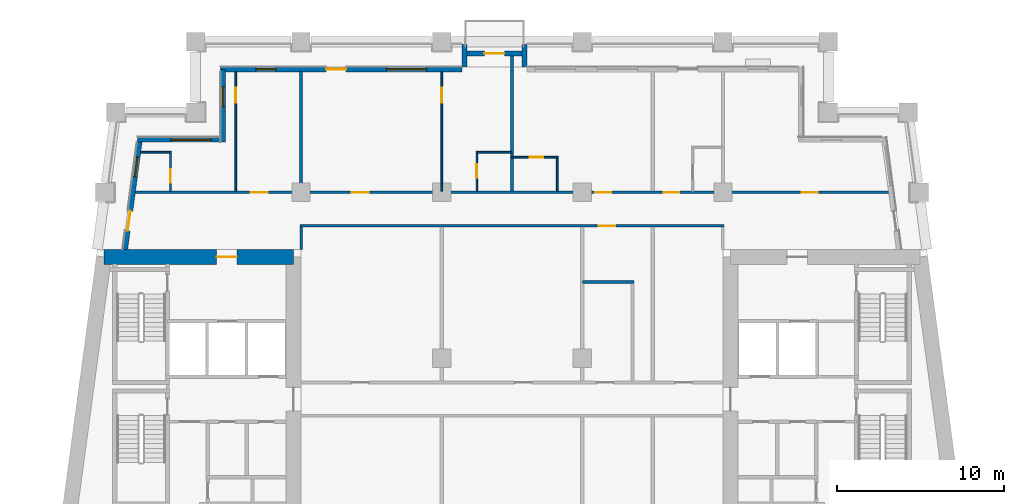
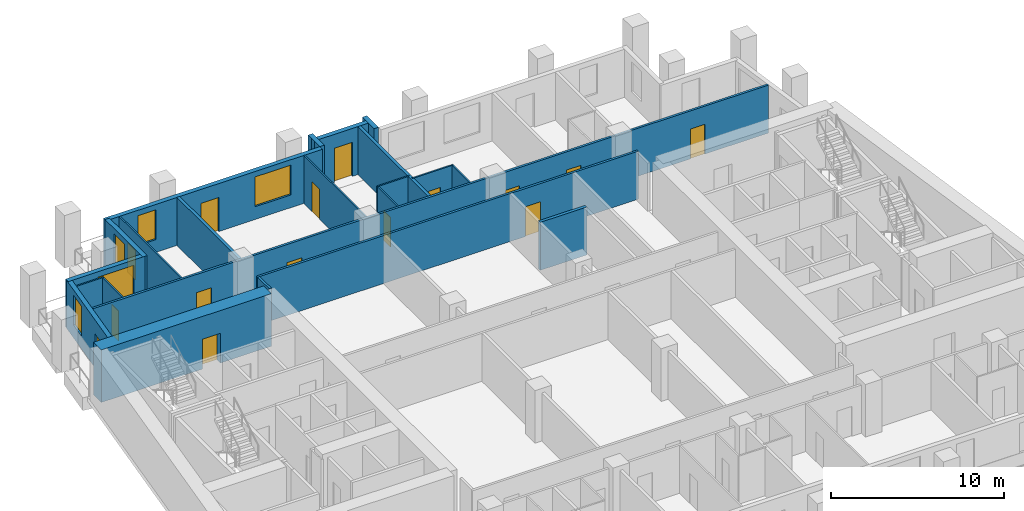
# One storey, part 6 of 12: 22 walls, 15 doors, 5 windows, 20 openings.
"""IFC4 building model written with IfcOpenShell, lengths in metres."""

from ifc_helpers import new_model, si_unit, direction, frame, frame_2d, origin, place, context, subcontext, project, spatial, rectangle, extrude, material, layer, layer_set, type_object, element, fill, save


model = new_model("IFC4")

# Units and contexts
model_context = context("Model", 3, precision=1e-05, world=origin(), true_north=direction((0.0, 1.0)))
body_context = subcontext(model_context, "Body", "Model", "MODEL_VIEW")
ifc_project = project(units=[si_unit("LENGTHUNIT", "METRE"), si_unit("AREAUNIT", "SQUARE_METRE"), si_unit("VOLUMEUNIT", "CUBIC_METRE"), si_unit("PLANEANGLEUNIT", "RADIAN"), si_unit("MASSUNIT", "GRAM", prefix="KILO")], contexts=[model_context])

# Site, building, storey
site_placement = place(None, origin())
site = spatial("IfcSite", under=ifc_project, at=site_placement, CompositionType="ELEMENT")
building_placement = place(site_placement, origin())
building = spatial("IfcBuilding", under=site, at=building_placement, Name="Candeia Pilgrim Tower and Theatre", CompositionType="ELEMENT")
storey_placement = place(building_placement, frame((0.0, 0.0, 147.800048828125)))
storey = spatial("IfcBuildingStorey", under=building, at=storey_placement, Name="L34", CompositionType="ELEMENT", Elevation=147.800048828125)

# Wall, opening, door
ifc_material_1 = material(Name="Concrete C60/75", Category="concrete")
ifc_layer_1 = layer(ifc_material_1, 0.89990234375)
ifc_layer_set_1 = layer_set([ifc_layer_1], Name="Core wall 900 C60/75")
wall_type_1 = type_object("IfcWallType", Name="Core wall 900 C60/75", PredefinedType="SHEAR", material=ifc_layer_set_1)
wall_1_placement = place(storey_placement, frame((89.024169921875, 131.949951171875, 0.0), z_axis=(0.0, 0.0, 1.0), x_axis=(1.0, 0.0, 0.0)))
wall_1 = element("IfcWall", 1, at=wall_1_placement, inside=storey, type_object=wall_type_1, Name="Core wall W1", PredefinedType="SHEAR", context=body_context, shape_type="SweptSolid", body=[
    extrude(rectangle(XDim=11.325927734375, YDim=0.89990234375, at=frame_2d((5.6630859375, 0.0))), origin(), (0.0, 0.0, 1.0), 3.699951171875),
])
opening_1_placement = place(wall_1_placement, frame((6.7392578125, 0.0, 0.0)))
opening_1 = element("IfcOpeningElement", 2, at=opening_1_placement, cuts=wall_1, Name="Opening L34-D056", PredefinedType="OPENING", context=body_context, shape_type="SweptSolid", body=[
    extrude(rectangle(XDim=1.199951171875, YDim=2.10009765625, at=frame_2d((0.60009765625, 1.050048828125))), frame((0.0, 0.4599609375, 0.0), z_axis=(0.0, -1.0, 0.0), x_axis=(1.0, 0.0, 0.0)), (0.0, 0.0, 1.0), 0.919921875),
])
ifc_material_2 = material(Name="Steel fire door set", Category="steel")
door_type_1 = type_object("IfcDoorType", Name="D-1200-FD60", OperationType="NOTDEFINED", PredefinedType="DOOR", material=ifc_material_2)
door_1_placement = place(opening_1_placement, origin())
door_1 = element("IfcDoor", 3, at=door_1_placement, inside=storey, type_object=door_type_1, Name="Door L34-D056", OperationType="SINGLE_SWING_RIGHT", OverallHeight=2.10009765625, OverallWidth=1.199951171875, PredefinedType="DOOR", context=body_context, shape_type="SweptSolid", body=[
    extrude(rectangle(XDim=1.199951171875, YDim=2.10009765625, at=frame_2d((0.60009765625, 1.050048828125))), frame((0.0, 0.02490234375, 0.0), z_axis=(0.0, -1.0, 0.0), x_axis=(1.0, 0.0, 0.0)), (0.0, 0.0, 1.0), 0.050048828125),
])
fill(opening_1, door_1)

# Wall, openings, door, windows
ifc_material_3 = material(Name="Ceramic block masonry", Category="masonry")
ifc_layer_2 = layer(ifc_material_3, 0.300048828125)
ifc_layer_set_2 = layer_set([ifc_layer_2], Name="EW1 glazing-line wall 300")
wall_type_2 = type_object("IfcWallType", Name="EW1 glazing-line wall 300", PredefinedType="SOLIDWALL", material=ifc_layer_set_2)
wall_2_placement = place(storey_placement, frame((110.39990234375, 143.14990234375, 0.0), z_axis=(0.0, 0.0, 1.0), x_axis=(-1.0, 0.0, 0.0)))
wall_2 = element("IfcWall", 4, at=wall_2_placement, inside=storey, type_object=wall_type_2, Name="External wall L34-6.1", PredefinedType="SOLIDWALL", context=body_context, shape_type="SweptSolid", body=[
    extrude(rectangle(XDim=14.39990234375, YDim=0.300048828125, at=frame_2d((7.199951171875, 0.0))), origin(), (0.0, 0.0, 1.0), 3.3798828125),
])
opening_2_placement = place(wall_2_placement, frame((2.10009765625, 0.0, 0.89990234375)))
opening_2 = element("IfcOpeningElement", 5, at=opening_2_placement, cuts=wall_2, Name="Opening W-A", PredefinedType="OPENING", context=body_context, shape_type="SweptSolid", body=[
    extrude(rectangle(XDim=2.39990234375, YDim=2.10009765625, at=frame_2d((1.199951171875, 1.050048828125))), frame((0.0, 0.16015625, 0.0), z_axis=(0.0, -1.0, 0.0), x_axis=(1.0, 0.0, 0.0)), (0.0, 0.0, 1.0), 0.320068359375),
])
opening_3_placement = place(wall_2_placement, frame((6.89990234375, 0.0, 0.0)))
opening_3 = element("IfcOpeningElement", 6, at=opening_3_placement, cuts=wall_2, Name="Opening L34-ED330", PredefinedType="OPENING", context=body_context, shape_type="SweptSolid", body=[
    extrude(rectangle(XDim=1.199951171875, YDim=2.39990234375, at=frame_2d((0.60009765625, 1.199951171875))), frame((0.0, 0.16015625, 0.0), z_axis=(0.0, -1.0, 0.0), x_axis=(1.0, 0.0, 0.0)), (0.0, 0.0, 1.0), 0.320068359375),
])
opening_4_placement = place(wall_2_placement, frame((11.10009765625, 0.0, 0.89990234375)))
opening_4 = element("IfcOpeningElement", 7, at=opening_4_placement, cuts=wall_2, Name="Opening W-B", PredefinedType="OPENING", context=body_context, shape_type="SweptSolid", body=[
    extrude(rectangle(XDim=1.199951171875, YDim=2.10009765625, at=frame_2d((0.60009765625, 1.050048828125))), frame((0.0, 0.16015625, 0.0), z_axis=(0.0, -1.0, 0.0), x_axis=(1.0, 0.0, 0.0)), (0.0, 0.0, 1.0), 0.320068359375),
])
ifc_material_4 = material(Name="Aluminium framed glazed door", Category="aluminium")
door_type_2 = type_object("IfcDoorType", Name="Loggia door 1200x2400", OperationType="DOUBLE_DOOR_SINGLE_SWING", PredefinedType="DOOR", material=ifc_material_4)
door_2_placement = place(opening_3_placement, origin())
door_2 = element("IfcDoor", 8, at=door_2_placement, inside=storey, type_object=door_type_2, Name="Loggia door L34-ED330", OperationType="DOUBLE_DOOR_SINGLE_SWING", OverallHeight=2.39990234375, OverallWidth=1.199951171875, PredefinedType="DOOR", context=body_context, shape_type="SweptSolid", body=[
    extrude(rectangle(XDim=1.199951171875, YDim=2.39990234375, at=frame_2d((0.60009765625, 1.199951171875))), frame((0.0, 0.02490234375, 0.0), z_axis=(0.0, -1.0, 0.0), x_axis=(1.0, 0.0, 0.0)), (0.0, 0.0, 1.0), 0.050048828125),
])
fill(opening_3, door_2)
ifc_material_5 = material(Name="Aluminium framed double glazing", Category="aluminium")
window_type_1 = type_object("IfcWindowType", Name="W-A window 2400x2100", PartitioningType="DOUBLE_PANEL_VERTICAL", PredefinedType="WINDOW", material=ifc_material_5)
window_1_placement = place(opening_2_placement, origin())
window_1 = element("IfcWindow", 9, at=window_1_placement, inside=storey, type_object=window_type_1, Name="Window W-A L34", OverallHeight=2.10009765625, OverallWidth=2.39990234375, PartitioningType="SINGLE_PANEL", PredefinedType="WINDOW", context=body_context, shape_type="SweptSolid", body=[
    extrude(rectangle(XDim=2.39990234375, YDim=2.10009765625, at=frame_2d((1.199951171875, 1.050048828125))), frame((0.0, 0.030029296875, 0.0), z_axis=(0.0, -1.0, 0.0), x_axis=(1.0, 0.0, 0.0)), (0.0, 0.0, 1.0), 0.06005859375),
])
fill(opening_2, window_1)
window_type_2 = type_object("IfcWindowType", Name="W-B window 1200x2100", PartitioningType="SINGLE_PANEL", PredefinedType="WINDOW", material=ifc_material_5)
window_2_placement = place(opening_4_placement, origin())
window_2 = element("IfcWindow", 10, at=window_2_placement, inside=storey, type_object=window_type_2, Name="Window W-B L34", OverallHeight=2.10009765625, OverallWidth=1.199951171875, PartitioningType="SINGLE_PANEL", PredefinedType="WINDOW", context=body_context, shape_type="SweptSolid", body=[
    extrude(rectangle(XDim=1.199951171875, YDim=2.10009765625, at=frame_2d((0.60009765625, 1.050048828125))), frame((0.0, 0.030029296875, 0.0), z_axis=(0.0, -1.0, 0.0), x_axis=(1.0, 0.0, 0.0)), (0.0, 0.0, 1.0), 0.06005859375),
])
fill(opening_4, window_2)

# Wall, opening, window
wall_3_placement = place(storey_placement, frame((96.14990234375, 143.14990234375, 0.0), z_axis=(0.0, 0.0, 1.0), x_axis=(0.0, -1.0, 0.0)))
wall_3 = element("IfcWall", 11, at=wall_3_placement, inside=storey, type_object=wall_type_2, Name="External wall L34-7.0", PredefinedType="SOLIDWALL", context=body_context, shape_type="SweptSolid", body=[
    extrude(rectangle(XDim=4.349853515625, YDim=0.300048828125, at=frame_2d((2.1748046875, 0.0))), origin(), (0.0, 0.0, 1.0), 3.3798828125),
])
opening_5_placement = place(wall_3_placement, frame((1.02490234375, 0.0, 0.89990234375)))
opening_5 = element("IfcOpeningElement", 12, at=opening_5_placement, cuts=wall_3, Name="Opening W-B", PredefinedType="OPENING", context=body_context, shape_type="SweptSolid", body=[
    extrude(rectangle(XDim=1.199951171875, YDim=2.10009765625, at=frame_2d((0.60009765625, 1.050048828125))), frame((0.0, 0.16015625, 0.0), z_axis=(0.0, -1.0, 0.0), x_axis=(1.0, 0.0, 0.0)), (0.0, 0.0, 1.0), 0.320068359375),
])
window_3_placement = place(opening_5_placement, origin())
window_3 = element("IfcWindow", 13, at=window_3_placement, inside=storey, type_object=window_type_2, Name="Window W-B L34", OverallHeight=2.10009765625, OverallWidth=1.199951171875, PartitioningType="SINGLE_PANEL", PredefinedType="WINDOW", context=body_context, shape_type="SweptSolid", body=[
    extrude(rectangle(XDim=1.199951171875, YDim=2.10009765625, at=frame_2d((0.60009765625, 1.050048828125))), frame((0.0, 0.030029296875, 0.0), z_axis=(0.0, -1.0, 0.0), x_axis=(1.0, 0.0, 0.0)), (0.0, 0.0, 1.0), 0.06005859375),
])
fill(opening_5, window_3)

wall_4_placement = place(storey_placement, frame((96.14990234375, 138.949951171875, 0.0), z_axis=(0.0, 0.0, 1.0), x_axis=(-1.0, 0.0, 0.0)))
wall_4 = element("IfcWall", 14, at=wall_4_placement, inside=storey, type_object=wall_type_2, Name="External wall L34-8.0", PredefinedType="SOLIDWALL", context=body_context, shape_type="SweptSolid", body=[
    extrude(rectangle(XDim=5.103759765625, YDim=0.300048828125, at=frame_2d((2.5517578125, 0.0))), origin(), (0.0, 0.0, 1.0), 3.3798828125),
])
opening_6_placement = place(wall_4_placement, frame((0.72509765625, 0.0, 0.89990234375)))
opening_6 = element("IfcOpeningElement", 15, at=opening_6_placement, cuts=wall_4, Name="Opening W-A", PredefinedType="OPENING", context=body_context, shape_type="SweptSolid", body=[
    extrude(rectangle(XDim=2.39990234375, YDim=2.10009765625, at=frame_2d((1.199951171875, 1.050048828125))), frame((0.0, 0.16015625, 0.0), z_axis=(0.0, -1.0, 0.0), x_axis=(1.0, 0.0, 0.0)), (0.0, 0.0, 1.0), 0.320068359375),
])
window_4_placement = place(opening_6_placement, origin())
window_4 = element("IfcWindow", 16, at=window_4_placement, inside=storey, type_object=window_type_1, Name="Window W-A L34", OverallHeight=2.10009765625, OverallWidth=2.39990234375, PartitioningType="SINGLE_PANEL", PredefinedType="WINDOW", context=body_context, shape_type="SweptSolid", body=[
    extrude(rectangle(XDim=2.39990234375, YDim=2.10009765625, at=frame_2d((1.199951171875, 1.050048828125))), frame((0.0, 0.030029296875, 0.0), z_axis=(0.0, -1.0, 0.0), x_axis=(1.0, 0.0, 0.0)), (0.0, 0.0, 1.0), 0.06005859375),
])
fill(opening_6, window_4)

# Wall, openings, door, window
wall_5_placement = place(storey_placement, frame((91.177490234375, 138.949951171875, 0.0), z_axis=(0.0, 0.0, 1.0), x_axis=(-0.133426664613, -0.991058689065, 0.0)))
wall_5 = element("IfcWall", 17, at=wall_5_placement, inside=storey, type_object=wall_type_2, Name="External wall L34-9.0", PredefinedType="SOLIDWALL", context=body_context, shape_type="SweptSolid", body=[
    extrude(rectangle(XDim=6.609130859375, YDim=0.300048828125, at=frame_2d((3.3046875, 0.0))), origin(), (0.0, 0.0, 1.0), 3.3798828125),
])
opening_7_placement = place(wall_5_placement, frame((1.039306640625, 0.0, 0.89990234375)))
opening_7 = element("IfcOpeningElement", 18, at=opening_7_placement, cuts=wall_5, Name="Opening W-B", PredefinedType="OPENING", context=body_context, shape_type="SweptSolid", body=[
    extrude(rectangle(XDim=1.199951171875, YDim=2.10009765625, at=frame_2d((0.60009765625, 1.050048828125))), frame((0.0, 0.16015625, 0.0), z_axis=(0.0, -1.0, 0.0), x_axis=(1.0, 0.0, 0.0)), (0.0, 0.0, 1.0), 0.320068359375),
])
opening_8_placement = place(wall_5_placement, frame((4.293701171875, 0.0, 0.0)))
opening_8 = element("IfcOpeningElement", 19, at=opening_8_placement, cuts=wall_5, Name="Opening L34-ED332", PredefinedType="OPENING", context=body_context, shape_type="SweptSolid", body=[
    extrude(rectangle(XDim=1.199951171875, YDim=2.39990234375, at=frame_2d((0.60009765625, 1.199951171875))), frame((0.0, 0.16015625, 0.0), z_axis=(0.0, -1.0, 0.0), x_axis=(1.0, 0.0, 0.0)), (0.0, 0.0, 1.0), 0.320068359375),
])
door_3_placement = place(opening_8_placement, origin())
door_3 = element("IfcDoor", 20, at=door_3_placement, inside=storey, type_object=door_type_2, Name="Loggia door L34-ED332", OperationType="DOUBLE_DOOR_SINGLE_SWING", OverallHeight=2.39990234375, OverallWidth=1.199951171875, PredefinedType="DOOR", context=body_context, shape_type="SweptSolid", body=[
    extrude(rectangle(XDim=1.199951171875, YDim=2.39990234375, at=frame_2d((0.60009765625, 1.199951171875))), frame((0.0, 0.02490234375, 0.0), z_axis=(0.0, -1.0, 0.0), x_axis=(1.0, 0.0, 0.0)), (0.0, 0.0, 1.0), 0.050048828125),
])
fill(opening_8, door_3)
window_5_placement = place(opening_7_placement, origin())
window_5 = element("IfcWindow", 21, at=window_5_placement, inside=storey, type_object=window_type_2, Name="Window W-B L34", OverallHeight=2.10009765625, OverallWidth=1.199951171875, PartitioningType="SINGLE_PANEL", PredefinedType="WINDOW", context=body_context, shape_type="SweptSolid", body=[
    extrude(rectangle(XDim=1.199951171875, YDim=2.10009765625, at=frame_2d((0.60009765625, 1.050048828125))), frame((0.0, 0.030029296875, 0.0), z_axis=(0.0, -1.0, 0.0), x_axis=(1.0, 0.0, 0.0)), (0.0, 0.0, 1.0), 0.06005859375),
])
fill(opening_7, window_5)

# Walls
ifc_layer_3 = layer(ifc_material_3, 0.300048828125)
ifc_layer_set_3 = layer_set([ifc_layer_3], Name="EW2 entrance infill wall 300")
wall_type_3 = type_object("IfcWallType", Name="EW2 entrance infill wall 300", PredefinedType="SOLIDWALL", material=ifc_layer_set_3)
for number, where, z_axis, x_axis, name in (
    (22, (114.14990234375, 143.300048828125, 0.0), (0.0, 0.0, 1.0), (0.0, 1.0, 0.0), "Alcove wall L34"),
    (23, (110.550048828125, 143.300048828125, 0.0), (0.0, 0.0, 1.0), (0.0, 1.0, 0.0), "Alcove wall L34"),
):
    element("IfcWall", number, at=place(storey_placement, frame(where, z_axis=z_axis, x_axis=x_axis)), inside=storey, type_object=wall_type_3, Name=name, PredefinedType="SOLIDWALL", context=body_context, shape_type="SweptSolid", body=[
        extrude(rectangle(XDim=1.349853515625, YDim=0.300048828125, at=frame_2d((0.6748046875, 0.0))), origin(), (0.0, 0.0, 1.0), 3.3798828125),
    ])

# Wall, opening, door
wall_6_placement = place(storey_placement, frame((114.300048828125, 144.10009765625, 0.0), z_axis=(0.0, 0.0, 1.0), x_axis=(-1.0, 0.0, 0.0)))
wall_6 = element("IfcWall", 24, at=wall_6_placement, inside=storey, type_object=wall_type_3, Name="Alcove wall L34", PredefinedType="SOLIDWALL", context=body_context, shape_type="SweptSolid", body=[
    extrude(rectangle(XDim=3.900146484375, YDim=0.300048828125, at=frame_2d((1.9501953125, 0.0))), origin(), (0.0, 0.0, 1.0), 3.3798828125),
])
opening_9_placement = place(wall_6_placement, frame((1.35009765625, 0.0, 0.0)))
opening_9 = element("IfcOpeningElement", 25, at=opening_9_placement, cuts=wall_6, Name="Opening L34-ED331", PredefinedType="OPENING", context=body_context, shape_type="SweptSolid", body=[
    extrude(rectangle(XDim=1.199951171875, YDim=2.39990234375, at=frame_2d((0.60009765625, 1.199951171875))), frame((0.0, 0.16015625, 0.0), z_axis=(0.0, -1.0, 0.0), x_axis=(1.0, 0.0, 0.0)), (0.0, 0.0, 1.0), 0.320068359375),
])
door_4_placement = place(opening_9_placement, origin())
door_4 = element("IfcDoor", 26, at=door_4_placement, inside=storey, type_object=door_type_2, Name="Balcony door L34-ED331", OperationType="DOUBLE_DOOR_SINGLE_SWING", OverallHeight=2.39990234375, OverallWidth=1.199951171875, PredefinedType="DOOR", context=body_context, shape_type="SweptSolid", body=[
    extrude(rectangle(XDim=1.199951171875, YDim=2.39990234375, at=frame_2d((0.60009765625, 1.199951171875))), frame((0.0, 0.02490234375, 0.0), z_axis=(0.0, -1.0, 0.0), x_axis=(1.0, 0.0, 0.0)), (0.0, 0.0, 1.0), 0.050048828125),
])
fill(opening_9, door_4)

ifc_material_6 = material(Name="Gypsum board partition on steel studs", Category="steel")
ifc_layer_4 = layer(ifc_material_6, 0.10009765625)
ifc_layer_set_4 = layer_set([ifc_layer_4], Name="PW-100 room partition")
wall_type_4 = type_object("IfcWallType", Name="PW-100 room partition", PredefinedType="PARTITIONING", material=ifc_layer_set_4)
wall_7_placement = place(storey_placement, frame((113.39990234375, 137.89990234375, 0.0), z_axis=(0.0, 0.0, 1.0), x_axis=(1.0, 0.0, 0.0)))
wall_7 = element("IfcWall", 27, at=wall_7_placement, inside=storey, type_object=wall_type_4, Name="Room partition L34-043", PredefinedType="PARTITIONING", context=body_context, shape_type="SweptSolid", body=[
    extrude(rectangle(XDim=2.75, YDim=0.10009765625, at=frame_2d((1.375, 0.0))), origin(), (0.0, 0.0, 1.0), 3.3798828125),
])
opening_10_placement = place(wall_7_placement, frame((1.070068359375, 0.0, 0.0)))
opening_10 = element("IfcOpeningElement", 28, at=opening_10_placement, cuts=wall_7, Name="Opening L34-D042", PredefinedType="OPENING", context=body_context, shape_type="SweptSolid", body=[
    extrude(rectangle(XDim=0.800048828125, YDim=2.10009765625, at=frame_2d((0.39990234375, 1.050048828125))), frame((0.0, 0.06005859375, 0.0), z_axis=(0.0, -1.0, 0.0), x_axis=(1.0, 0.0, 0.0)), (0.0, 0.0, 1.0), 0.1201171875),
])
ifc_material_7 = material(Name="Timber door leaf", Category="wood")
door_type_3 = type_object("IfcDoorType", Name="D-800", OperationType="NOTDEFINED", PredefinedType="DOOR", material=ifc_material_7)
door_5_placement = place(opening_10_placement, origin())
door_5 = element("IfcDoor", 29, at=door_5_placement, inside=storey, type_object=door_type_3, Name="Door L34-D042", OperationType="SINGLE_SWING_RIGHT", OverallHeight=2.10009765625, OverallWidth=0.800048828125, PredefinedType="DOOR", context=body_context, shape_type="SweptSolid", body=[
    extrude(rectangle(XDim=0.800048828125, YDim=2.10009765625, at=frame_2d((0.39990234375, 1.050048828125))), frame((0.0, 0.02490234375, 0.0), z_axis=(0.0, -1.0, 0.0), x_axis=(1.0, 0.0, 0.0)), (0.0, 0.0, 1.0), 0.050048828125),
])
fill(opening_10, door_5)

# Walls
wall_8_placement = place(storey_placement, frame((91.2177734375, 138.199951171875, 0.0), z_axis=(0.0, 0.0, 1.0), x_axis=(1.0, 0.0, 0.0)))
element("IfcWall", 30, at=wall_8_placement, inside=storey, type_object=wall_type_4, Name="Room partition L34-044", PredefinedType="PARTITIONING", context=body_context, shape_type="SweptSolid", body=[
    extrude(rectangle(XDim=1.832275390625, YDim=0.10009765625, at=frame_2d((0.916015625, 0.0))), origin(), (0.0, 0.0, 1.0), 3.3798828125),
])
wall_9_placement = place(storey_placement, frame((111.25, 138.199951171875, 0.0), z_axis=(0.0, 0.0, 1.0), x_axis=(1.0, 0.0, 0.0)))
element("IfcWall", 31, at=wall_9_placement, inside=storey, type_object=wall_type_4, Name="Room partition L34-045", PredefinedType="PARTITIONING", context=body_context, shape_type="SweptSolid", body=[
    extrude(rectangle(XDim=2.14990234375, YDim=0.10009765625, at=frame_2d((1.074951171875, 0.0))), origin(), (0.0, 0.0, 1.0), 3.3798828125),
])

# Wall, opening, door
wall_10_placement = place(storey_placement, frame((93.0, 135.875, 0.0), z_axis=(0.0, 0.0, 1.0), x_axis=(0.0, 1.0, 0.0)))
wall_10 = element("IfcWall", 32, at=wall_10_placement, inside=storey, type_object=wall_type_4, Name="Room partition L34-058", PredefinedType="PARTITIONING", context=body_context, shape_type="SweptSolid", body=[
    extrude(rectangle(XDim=2.27490234375, YDim=0.10009765625, at=frame_2d((1.137451171875, 0.0))), origin(), (0.0, 0.0, 1.0), 3.3798828125),
])
opening_11_placement = place(wall_10_placement, frame((0.5, 0.0, 0.0)))
opening_11 = element("IfcOpeningElement", 33, at=opening_11_placement, cuts=wall_10, Name="Opening L34-D037", PredefinedType="OPENING", context=body_context, shape_type="SweptSolid", body=[
    extrude(rectangle(XDim=0.800048828125, YDim=2.10009765625, at=frame_2d((0.39990234375, 1.050048828125))), frame((0.0, 0.06005859375, 0.0), z_axis=(0.0, -1.0, 0.0), x_axis=(1.0, 0.0, 0.0)), (0.0, 0.0, 1.0), 0.1201171875),
])
door_6_placement = place(opening_11_placement, origin())
door_6 = element("IfcDoor", 34, at=door_6_placement, inside=storey, type_object=door_type_3, Name="Door L34-D037", OperationType="SINGLE_SWING_LEFT", OverallHeight=2.10009765625, OverallWidth=0.800048828125, PredefinedType="DOOR", context=body_context, shape_type="SweptSolid", body=[
    extrude(rectangle(XDim=0.800048828125, YDim=2.10009765625, at=frame_2d((0.39990234375, 1.050048828125))), frame((0.0, 0.02490234375, 0.0), z_axis=(0.0, -1.0, 0.0), x_axis=(1.0, 0.0, 0.0)), (0.0, 0.0, 1.0), 0.050048828125),
])
fill(opening_11, door_6)

wall_11_placement = place(storey_placement, frame((96.89990234375, 135.875, 0.0), z_axis=(0.0, 0.0, 1.0), x_axis=(0.0, 1.0, 0.0)))
wall_11 = element("IfcWall", 35, at=wall_11_placement, inside=storey, type_object=wall_type_4, Name="Room partition L34-064", PredefinedType="PARTITIONING", context=body_context, shape_type="SweptSolid", body=[
    extrude(rectangle(XDim=7.135009765625, YDim=0.10009765625, at=frame_2d((3.5673828125, 0.0))), origin(), (0.0, 0.0, 1.0), 3.3798828125),
])
opening_12_placement = place(wall_11_placement, frame((5.2900390625, 0.0, 0.0)))
opening_12 = element("IfcOpeningElement", 36, at=opening_12_placement, cuts=wall_11, Name="Opening L34-D036", PredefinedType="OPENING", context=body_context, shape_type="SweptSolid", body=[
    extrude(rectangle(XDim=0.89990234375, YDim=2.10009765625, at=frame_2d((0.449951171875, 1.050048828125))), frame((0.0, 0.06005859375, 0.0), z_axis=(0.0, -1.0, 0.0), x_axis=(1.0, 0.0, 0.0)), (0.0, 0.0, 1.0), 0.1201171875),
])
door_type_4 = type_object("IfcDoorType", Name="D-900", OperationType="NOTDEFINED", PredefinedType="DOOR", material=ifc_material_7)
door_7_placement = place(opening_12_placement, origin())
door_7 = element("IfcDoor", 37, at=door_7_placement, inside=storey, type_object=door_type_4, Name="Door L34-D036", OperationType="SINGLE_SWING_RIGHT", OverallHeight=2.10009765625, OverallWidth=0.89990234375, PredefinedType="DOOR", context=body_context, shape_type="SweptSolid", body=[
    extrude(rectangle(XDim=0.89990234375, YDim=2.10009765625, at=frame_2d((0.449951171875, 1.050048828125))), frame((0.0, 0.02490234375, 0.0), z_axis=(0.0, -1.0, 0.0), x_axis=(1.0, 0.0, 0.0)), (0.0, 0.0, 1.0), 0.050048828125),
])
fill(opening_12, door_7)

wall_12_placement = place(storey_placement, frame((109.199951171875, 135.875, 0.0), z_axis=(0.0, 0.0, 1.0), x_axis=(0.0, 1.0, 0.0)))
wall_12 = element("IfcWall", 38, at=wall_12_placement, inside=storey, type_object=wall_type_4, Name="Room partition L34-077", PredefinedType="PARTITIONING", context=body_context, shape_type="SweptSolid", body=[
    extrude(rectangle(XDim=7.135009765625, YDim=0.10009765625, at=frame_2d((3.5673828125, 0.0))), origin(), (0.0, 0.0, 1.0), 3.3798828125),
])
opening_13_placement = place(wall_12_placement, frame((5.2900390625, 0.0, 0.0)))
opening_13 = element("IfcOpeningElement", 39, at=opening_13_placement, cuts=wall_12, Name="Opening L34-D039", PredefinedType="OPENING", context=body_context, shape_type="SweptSolid", body=[
    extrude(rectangle(XDim=0.89990234375, YDim=2.10009765625, at=frame_2d((0.449951171875, 1.050048828125))), frame((0.0, 0.06005859375, 0.0), z_axis=(0.0, -1.0, 0.0), x_axis=(1.0, 0.0, 0.0)), (0.0, 0.0, 1.0), 0.1201171875),
])
door_8_placement = place(opening_13_placement, origin())
door_8 = element("IfcDoor", 40, at=door_8_placement, inside=storey, type_object=door_type_4, Name="Door L34-D039", OperationType="SINGLE_SWING_LEFT", OverallHeight=2.10009765625, OverallWidth=0.89990234375, PredefinedType="DOOR", context=body_context, shape_type="SweptSolid", body=[
    extrude(rectangle(XDim=0.89990234375, YDim=2.10009765625, at=frame_2d((0.449951171875, 1.050048828125))), frame((0.0, 0.02490234375, 0.0), z_axis=(0.0, -1.0, 0.0), x_axis=(1.0, 0.0, 0.0)), (0.0, 0.0, 1.0), 0.050048828125),
])
fill(opening_13, door_8)

wall_13_placement = place(storey_placement, frame((111.300048828125, 135.875, 0.0), z_axis=(0.0, 0.0, 1.0), x_axis=(0.0, 1.0, 0.0)))
wall_13 = element("IfcWall", 41, at=wall_13_placement, inside=storey, type_object=wall_type_4, Name="Room partition L34-081", PredefinedType="PARTITIONING", context=body_context, shape_type="SweptSolid", body=[
    extrude(rectangle(XDim=2.27490234375, YDim=0.10009765625, at=frame_2d((1.137451171875, 0.0))), origin(), (0.0, 0.0, 1.0), 3.3798828125),
])
opening_14_placement = place(wall_13_placement, frame((0.81494140625, 0.0, 0.0)))
opening_14 = element("IfcOpeningElement", 42, at=opening_14_placement, cuts=wall_13, Name="Opening L34-D040", PredefinedType="OPENING", context=body_context, shape_type="SweptSolid", body=[
    extrude(rectangle(XDim=0.800048828125, YDim=2.10009765625, at=frame_2d((0.39990234375, 1.050048828125))), frame((0.0, 0.06005859375, 0.0), z_axis=(0.0, -1.0, 0.0), x_axis=(1.0, 0.0, 0.0)), (0.0, 0.0, 1.0), 0.1201171875),
])
door_9_placement = place(opening_14_placement, origin())
door_9 = element("IfcDoor", 43, at=door_9_placement, inside=storey, type_object=door_type_3, Name="Door L34-D040", OperationType="SINGLE_SWING_RIGHT", OverallHeight=2.10009765625, OverallWidth=0.800048828125, PredefinedType="DOOR", context=body_context, shape_type="SweptSolid", body=[
    extrude(rectangle(XDim=0.800048828125, YDim=2.10009765625, at=frame_2d((0.39990234375, 1.050048828125))), frame((0.0, 0.02490234375, 0.0), z_axis=(0.0, -1.0, 0.0), x_axis=(1.0, 0.0, 0.0)), (0.0, 0.0, 1.0), 0.050048828125),
])
fill(opening_14, door_9)

# Wall
wall_14_placement = place(storey_placement, frame((116.10009765625, 135.875, 0.0), z_axis=(0.0, 0.0, 1.0), x_axis=(0.0, 1.0, 0.0)))
element("IfcWall", 44, at=wall_14_placement, inside=storey, type_object=wall_type_4, Name="Room partition L34-085", PredefinedType="PARTITIONING", context=body_context, shape_type="SweptSolid", body=[
    extrude(rectangle(XDim=1.97509765625, YDim=0.10009765625, at=frame_2d((0.987548828125, 0.0))), origin(), (0.0, 0.0, 1.0), 3.3798828125),
])

# Wall, opening, door
ifc_layer_5 = layer(ifc_material_6, 0.14990234375)
ifc_layer_set_5 = layer_set([ifc_layer_5], Name="PW-150 unit wall")
wall_type_5 = type_object("IfcWallType", Name="PW-150 unit wall", PredefinedType="PARTITIONING", material=ifc_layer_set_5)
wall_15_placement = place(storey_placement, frame((100.72509765625, 133.800048828125, 0.0), z_axis=(0.0, 0.0, 1.0), x_axis=(1.0, 0.0, 0.0)))
wall_15 = element("IfcWall", 45, at=wall_15_placement, inside=storey, type_object=wall_type_5, Name="Unit wall L34-041", PredefinedType="PARTITIONING", context=body_context, shape_type="SweptSolid", body=[
    extrude(rectangle(XDim=25.349853515625, YDim=0.14990234375, at=frame_2d((12.6748046875, 0.0))), origin(), (0.0, 0.0, 1.0), 3.3798828125),
])
opening_15_placement = place(wall_15_placement, frame((17.85009765625, 0.0, 0.0)))
opening_15 = element("IfcOpeningElement", 46, at=opening_15_placement, cuts=wall_15, Name="Opening L34-D046", PredefinedType="OPENING", context=body_context, shape_type="SweptSolid", body=[
    extrude(rectangle(XDim=1.0, YDim=2.10009765625, at=frame_2d((0.5, 1.050048828125))), frame((0.0, 0.0849609375, 0.0), z_axis=(0.0, -1.0, 0.0), x_axis=(1.0, 0.0, 0.0)), (0.0, 0.0, 1.0), 0.169921875),
])
door_type_5 = type_object("IfcDoorType", Name="D-1000-FD30S", OperationType="NOTDEFINED", PredefinedType="DOOR", material=ifc_material_2)
door_10_placement = place(opening_15_placement, origin())
door_10 = element("IfcDoor", 47, at=door_10_placement, inside=storey, type_object=door_type_5, Name="Door L34-D046", OperationType="SINGLE_SWING_RIGHT", OverallHeight=2.10009765625, OverallWidth=1.0, PredefinedType="DOOR", context=body_context, shape_type="SweptSolid", body=[
    extrude(rectangle(XDim=1.0, YDim=2.10009765625, at=frame_2d((0.5, 1.050048828125))), frame((0.0, 0.02490234375, 0.0), z_axis=(0.0, -1.0, 0.0), x_axis=(1.0, 0.0, 0.0)), (0.0, 0.0, 1.0), 0.050048828125),
])
fill(opening_15, door_10)

# Wall, openings, doors
wall_16_placement = place(storey_placement, frame((90.89453125, 135.800048828125, 0.0), z_axis=(0.0, 0.0, 1.0), x_axis=(1.0, 0.0, 0.0)))
wall_16 = element("IfcWall", 48, at=wall_16_placement, inside=storey, type_object=wall_type_5, Name="Unit wall L34-042", PredefinedType="PARTITIONING", context=body_context, shape_type="SweptSolid", body=[
    extrude(rectangle(XDim=45.010986328125, YDim=0.14990234375, at=frame_2d((22.50537109375, 0.0))), origin(), (0.0, 0.0, 1.0), 3.3798828125),
])
opening_16_placement = place(wall_16_placement, frame((6.905517578125, 0.0, 0.0)))
opening_16 = element("IfcOpeningElement", 49, at=opening_16_placement, cuts=wall_16, Name="Opening L34-D035", PredefinedType="OPENING", context=body_context, shape_type="SweptSolid", body=[
    extrude(rectangle(XDim=1.0, YDim=2.10009765625, at=frame_2d((0.5, 1.050048828125))), frame((0.0, 0.0849609375, 0.0), z_axis=(0.0, -1.0, 0.0), x_axis=(1.0, 0.0, 0.0)), (0.0, 0.0, 1.0), 0.169921875),
])
opening_17_placement = place(wall_16_placement, frame((12.935302734375, 0.0, 0.0)))
opening_17 = element("IfcOpeningElement", 50, at=opening_17_placement, cuts=wall_16, Name="Opening L34-D038", PredefinedType="OPENING", context=body_context, shape_type="SweptSolid", body=[
    extrude(rectangle(XDim=1.0, YDim=2.10009765625, at=frame_2d((0.5, 1.050048828125))), frame((0.0, 0.0849609375, 0.0), z_axis=(0.0, -1.0, 0.0), x_axis=(1.0, 0.0, 0.0)), (0.0, 0.0, 1.0), 0.169921875),
])
opening_18_placement = place(wall_16_placement, frame((27.477294921875, 0.0, 0.0)))
opening_18 = element("IfcOpeningElement", 51, at=opening_18_placement, cuts=wall_16, Name="Opening L34-D041", PredefinedType="OPENING", context=body_context, shape_type="SweptSolid", body=[
    extrude(rectangle(XDim=0.949951171875, YDim=2.10009765625, at=frame_2d((0.47509765625, 1.050048828125))), frame((0.0, 0.0849609375, 0.0), z_axis=(0.0, -1.0, 0.0), x_axis=(1.0, 0.0, 0.0)), (0.0, 0.0, 1.0), 0.169921875),
])
opening_19_placement = place(wall_16_placement, frame((31.555419921875, 0.0, 0.0)))
opening_19 = element("IfcOpeningElement", 52, at=opening_19_placement, cuts=wall_16, Name="Opening L34-D043", PredefinedType="OPENING", context=body_context, shape_type="SweptSolid", body=[
    extrude(rectangle(XDim=0.949951171875, YDim=2.10009765625, at=frame_2d((0.47509765625, 1.050048828125))), frame((0.0, 0.0849609375, 0.0), z_axis=(0.0, -1.0, 0.0), x_axis=(1.0, 0.0, 0.0)), (0.0, 0.0, 1.0), 0.169921875),
])
opening_20_placement = place(wall_16_placement, frame((39.814453125, 0.0, 0.0)))
opening_20 = element("IfcOpeningElement", 53, at=opening_20_placement, cuts=wall_16, Name="Opening L34-D045", PredefinedType="OPENING", context=body_context, shape_type="SweptSolid", body=[
    extrude(rectangle(XDim=0.949951171875, YDim=2.10009765625, at=frame_2d((0.47509765625, 1.050048828125))), frame((0.0, 0.0849609375, 0.0), z_axis=(0.0, -1.0, 0.0), x_axis=(1.0, 0.0, 0.0)), (0.0, 0.0, 1.0), 0.169921875),
])
door_11_placement = place(opening_16_placement, origin())
door_11 = element("IfcDoor", 54, at=door_11_placement, inside=storey, type_object=door_type_5, Name="Door L34-D035", OperationType="SINGLE_SWING_LEFT", OverallHeight=2.10009765625, OverallWidth=1.0, PredefinedType="DOOR", context=body_context, shape_type="SweptSolid", body=[
    extrude(rectangle(XDim=1.0, YDim=2.10009765625, at=frame_2d((0.5, 1.050048828125))), frame((0.0, 0.02490234375, 0.0), z_axis=(0.0, -1.0, 0.0), x_axis=(1.0, 0.0, 0.0)), (0.0, 0.0, 1.0), 0.050048828125),
])
fill(opening_16, door_11)
door_12_placement = place(opening_17_placement, origin())
door_12 = element("IfcDoor", 55, at=door_12_placement, inside=storey, type_object=door_type_5, Name="Door L34-D038", OperationType="SINGLE_SWING_RIGHT", OverallHeight=2.10009765625, OverallWidth=1.0, PredefinedType="DOOR", context=body_context, shape_type="SweptSolid", body=[
    extrude(rectangle(XDim=1.0, YDim=2.10009765625, at=frame_2d((0.5, 1.050048828125))), frame((0.0, 0.02490234375, 0.0), z_axis=(0.0, -1.0, 0.0), x_axis=(1.0, 0.0, 0.0)), (0.0, 0.0, 1.0), 0.050048828125),
])
fill(opening_17, door_12)
door_type_6 = type_object("IfcDoorType", Name="D-950-FD30S", OperationType="NOTDEFINED", PredefinedType="DOOR", material=ifc_material_2)
door_13_placement = place(opening_18_placement, origin())
door_13 = element("IfcDoor", 56, at=door_13_placement, inside=storey, type_object=door_type_6, Name="Door L34-D041", OperationType="SINGLE_SWING_LEFT", OverallHeight=2.10009765625, OverallWidth=0.949951171875, PredefinedType="DOOR", context=body_context, shape_type="SweptSolid", body=[
    extrude(rectangle(XDim=0.949951171875, YDim=2.10009765625, at=frame_2d((0.47509765625, 1.050048828125))), frame((0.0, 0.02490234375, 0.0), z_axis=(0.0, -1.0, 0.0), x_axis=(1.0, 0.0, 0.0)), (0.0, 0.0, 1.0), 0.050048828125),
])
fill(opening_18, door_13)
door_14_placement = place(opening_19_placement, origin())
door_14 = element("IfcDoor", 57, at=door_14_placement, inside=storey, type_object=door_type_6, Name="Door L34-D043", OperationType="SINGLE_SWING_LEFT", OverallHeight=2.10009765625, OverallWidth=0.949951171875, PredefinedType="DOOR", context=body_context, shape_type="SweptSolid", body=[
    extrude(rectangle(XDim=0.949951171875, YDim=2.10009765625, at=frame_2d((0.47509765625, 1.050048828125))), frame((0.0, 0.02490234375, 0.0), z_axis=(0.0, -1.0, 0.0), x_axis=(1.0, 0.0, 0.0)), (0.0, 0.0, 1.0), 0.050048828125),
])
fill(opening_19, door_14)
door_15_placement = place(opening_20_placement, origin())
door_15 = element("IfcDoor", 58, at=door_15_placement, inside=storey, type_object=door_type_6, Name="Door L34-D045", OperationType="SINGLE_SWING_LEFT", OverallHeight=2.10009765625, OverallWidth=0.949951171875, PredefinedType="DOOR", context=body_context, shape_type="SweptSolid", body=[
    extrude(rectangle(XDim=0.949951171875, YDim=2.10009765625, at=frame_2d((0.47509765625, 1.050048828125))), frame((0.0, 0.02490234375, 0.0), z_axis=(0.0, -1.0, 0.0), x_axis=(1.0, 0.0, 0.0)), (0.0, 0.0, 1.0), 0.050048828125),
])
fill(opening_20, door_15)

# Walls
wall_17_placement = place(storey_placement, frame((100.800048828125, 132.39990234375, 0.0), z_axis=(0.0, 0.0, 1.0), x_axis=(0.0, 1.0, 0.0)))
element("IfcWall", 59, at=wall_17_placement, inside=storey, type_object=wall_type_5, Name="Unit wall L34-073", PredefinedType="PARTITIONING", context=body_context, shape_type="SweptSolid", body=[
    extrude(rectangle(XDim=1.3251953125, YDim=0.14990234375, at=frame_2d((0.66259765625, 0.0))), origin(), (0.0, 0.0, 1.0), 3.3798828125),
])
ifc_layer_6 = layer(ifc_material_6, 0.199951171875)
ifc_layer_set_6 = layer_set([ifc_layer_6], Name="PW-200 party wall")
wall_type_6 = type_object("IfcWallType", Name="PW-200 party wall", PredefinedType="PARTITIONING", material=ifc_layer_set_6)
wall_18_placement = place(storey_placement, frame((117.60009765625, 130.449951171875, 0.0), z_axis=(0.0, 0.0, 1.0), x_axis=(1.0, 0.0, 0.0)))
element("IfcWall", 60, at=wall_18_placement, inside=storey, type_object=wall_type_6, Name="Party wall L34-038", PredefinedType="PARTITIONING", context=body_context, shape_type="SweptSolid", body=[
    extrude(rectangle(XDim=3.099853515625, YDim=0.199951171875, at=frame_2d((1.5498046875, 0.0))), origin(), (0.0, 0.0, 1.0), 3.3798828125),
])
wall_19_placement = place(storey_placement, frame((100.800048828125, 135.875, 0.0), z_axis=(0.0, 0.0, 1.0), x_axis=(0.0, 1.0, 0.0)))
element("IfcWall", 61, at=wall_19_placement, inside=storey, type_object=wall_type_6, Name="Party wall L34-071", PredefinedType="PARTITIONING", context=body_context, shape_type="SweptSolid", body=[
    extrude(rectangle(XDim=7.135009765625, YDim=0.199951171875, at=frame_2d((3.5673828125, 0.0))), origin(), (0.0, 0.0, 1.0), 3.3798828125),
])
wall_20_placement = place(storey_placement, frame((113.39990234375, 135.875, 0.0), z_axis=(0.0, 0.0, 1.0), x_axis=(0.0, 1.0, 0.0)))
element("IfcWall", 62, at=wall_20_placement, inside=storey, type_object=wall_type_6, Name="Party wall L34-083", PredefinedType="PARTITIONING", context=body_context, shape_type="SweptSolid", body=[
    extrude(rectangle(XDim=8.0849609375, YDim=0.199951171875, at=frame_2d((4.04248046875, 0.0))), origin(), (0.0, 0.0, 1.0), 3.3798828125),
])

save(model, "model.ifc")
